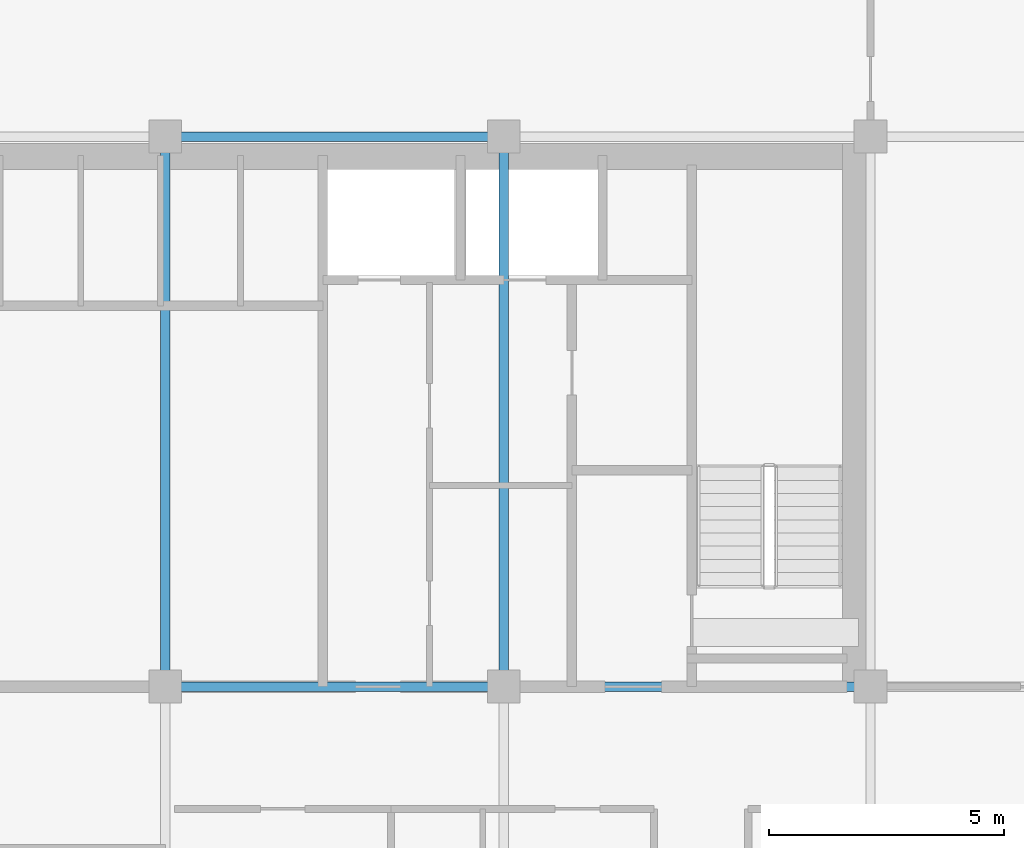
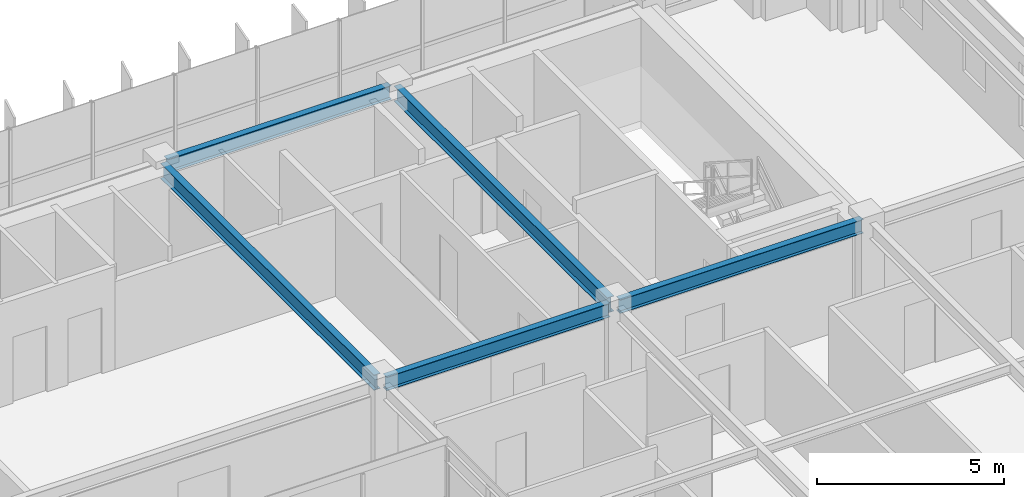
# One storey, part 20 of 34: 5 beams.
"""IFC4 building model written with IfcOpenShell, lengths in metres."""

from ifc_helpers import new_model, si_unit, direction, frame, origin, origin_2d, place, context, subcontext, project, spatial, i_section, extrude, source, transform, mapped, material, material_profile, profile_set, type_object, element, save


model = new_model("IFC4")

# Units and contexts
model_context = context("Model", 3, precision=1e-05, world=origin(), true_north=direction((0.0, 1.0)))
body_context = subcontext(model_context, "Body", "Model", "MODEL_VIEW")
ifc_project = project(units=[si_unit("LENGTHUNIT", "METRE"), si_unit("AREAUNIT", "SQUARE_METRE"), si_unit("VOLUMEUNIT", "CUBIC_METRE"), si_unit("PLANEANGLEUNIT", "RADIAN"), si_unit("MASSUNIT", "GRAM", prefix="KILO")], contexts=[model_context])

# Site, building, storey
site_placement = place(None, origin())
site = spatial("IfcSite", under=ifc_project, at=site_placement, CompositionType="ELEMENT")
building_placement = place(site_placement, origin())
building = spatial("IfcBuilding", under=site, at=building_placement, Name="Trelvane Seafront Commons", CompositionType="ELEMENT")
storey_placement = place(building_placement, frame((0.0, 0.0, 197.699951171875)))
storey = spatial("IfcBuildingStorey", under=building, at=storey_placement, Name="L51", CompositionType="ELEMENT", Elevation=197.699951171875)

# Beams
ifc_material = material(Name="Steel SM355 (S355)", Category="steel")
ifc_material_profile_1 = material_profile(ifc_material, i_section(OverallWidth=0.199951171875, OverallDepth=0.5, WebThickness=0.010009765625, FlangeThickness=0.01611328125, at=origin_2d()), Name="H-500x200x10x16")
ifc_profile_set_1 = profile_set([ifc_material_profile_1], Name="Steel SM355 (S355)")
beam_type_1 = type_object("IfcBeamType", Name="STR-BM-H500", PredefinedType="BEAM", material=ifc_profile_set_1)
shared_shape_1 = source(origin(), body_context, "Body", "SweptSolid", [
    extrude(i_section(OverallWidth=0.199951171875, OverallDepth=0.5, WebThickness=0.010009765625, FlangeThickness=0.01611328125, at=origin_2d()), origin(), (0.0, 0.0, 1.0), 11.39990234375),
])
for number, where, z_axis, x_axis, name in (
    (1, (43.800048828125, 33.550048828125, 3.110107421875), (0.0, 1.0, 0.0), (-1.0, 0.0, 0.0), "L51 Primary Girder G-43"),
    (2, (51.0, 33.550048828125, 3.110107421875), (0.0, 1.0, 0.0), (-1.0, 0.0, 0.0), "L51 Primary Girder G-46"),
):
    element("IfcBeam", number, at=place(storey_placement, frame(where, z_axis=z_axis, x_axis=x_axis)), inside=storey, type_object=beam_type_1, Name=name, PredefinedType="BEAM", context=body_context, shape_type="MappedRepresentation", body=[
        mapped(shared_shape_1, transform((0.0, 0.0, 0.0), x_axis=(1.0, 0.0, 0.0), y_axis=(0.0, 1.0, 0.0), z_axis=(0.0, 0.0, 1.0), scale=1.0)),
    ])
ifc_material_profile_2 = material_profile(ifc_material, i_section(OverallWidth=0.199951171875, OverallDepth=0.449951171875, WebThickness=0.009033203125, FlangeThickness=0.013916015625, at=origin_2d()), Name="H-450x200x9x14")
ifc_profile_set_2 = profile_set([ifc_material_profile_2], Name="Steel SM355 (S355)")
beam_type_2 = type_object("IfcBeamType", Name="STR-SPD-H450", PredefinedType="SPANDREL", material=ifc_profile_set_2)
shared_shape_2 = source(origin(), body_context, "Body", "SweptSolid", [
    extrude(i_section(OverallWidth=0.199951171875, OverallDepth=0.449951171875, WebThickness=0.009033203125, FlangeThickness=0.013916015625, at=origin_2d()), origin(), (0.0, 0.0, 1.0), 7.5),
])
beam_placement = place(storey_placement, frame((51.14990234375, 33.39990234375, 3.135009765625), z_axis=(1.0, 0.0, 0.0), x_axis=(0.0, 1.0, 0.0)))
element("IfcBeam", 3, at=beam_placement, inside=storey, type_object=beam_type_2, Name="L51 Primary Girder G-20", PredefinedType="SPANDREL", context=body_context, shape_type="MappedRepresentation", body=[
    mapped(shared_shape_2, transform((0.0, 0.0, 0.0), x_axis=(1.0, 0.0, 0.0), y_axis=(0.0, 1.0, 0.0), z_axis=(0.0, 0.0, 1.0), scale=1.0)),
])
shared_shape_3 = source(origin(), body_context, "Body", "SweptSolid", [
    extrude(i_section(OverallWidth=0.199951171875, OverallDepth=0.449951171875, WebThickness=0.009033203125, FlangeThickness=0.013916015625, at=origin_2d()), origin(), (0.0, 0.0, 1.0), 6.900146484375),
])
for number, where, z_axis, x_axis, name in (
    (4, (43.949951171875, 33.39990234375, 3.135009765625), (1.0, 0.0, 0.0), (0.0, 1.0, 0.0), "L51 Primary Girder G-19"),
    (5, (43.949951171875, 45.10009765625, 3.135009765625), (1.0, 0.0, 0.0), (0.0, 1.0, 0.0), "L51 Primary Girder G-26"),
):
    element("IfcBeam", number, at=place(storey_placement, frame(where, z_axis=z_axis, x_axis=x_axis)), inside=storey, type_object=beam_type_2, Name=name, PredefinedType="SPANDREL", context=body_context, shape_type="MappedRepresentation", body=[
        mapped(shared_shape_3, transform((0.0, 0.0, 0.0), x_axis=(1.0, 0.0, 0.0), y_axis=(0.0, 1.0, 0.0), z_axis=(0.0, 0.0, 1.0), scale=1.0)),
    ])

save(model, "model.ifc")
